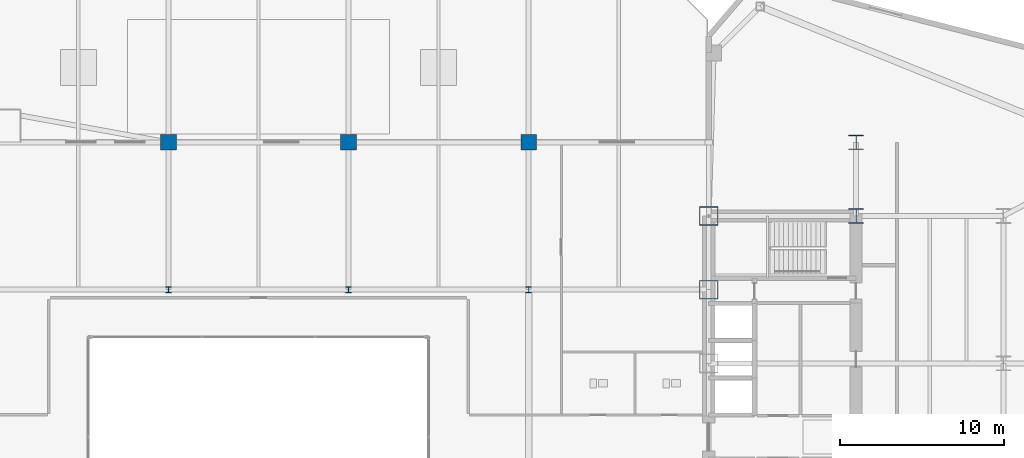
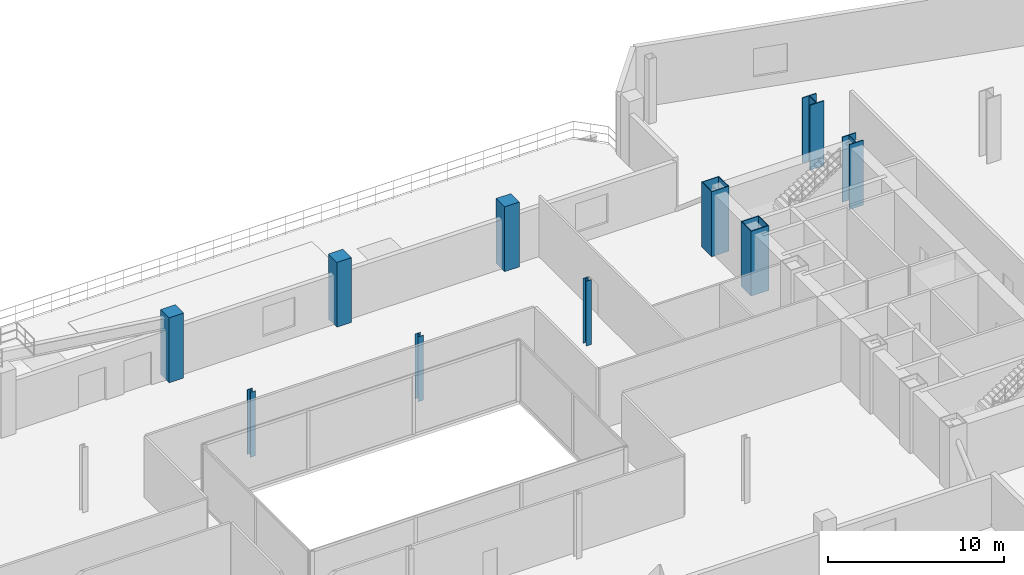
# One storey, part 7 of 27: 10 columns.
"""IFC4 building model written with IfcOpenShell, lengths in metres."""

from ifc_helpers import new_model, si_unit, direction, frame, origin, origin_2d, place, context, subcontext, project, spatial, rectangle, hollow_rectangle, i_section, extrude, source, transform, mapped, material, material_profile, profile_set, type_object, type_shapes, element, save


model = new_model("IFC4")

# Units and contexts
model_context = context("Model", 3, precision=1e-05, world=origin(), true_north=direction((0.0, 1.0)))
body_context = subcontext(model_context, "Body", "Model", "MODEL_VIEW")
ifc_project = project(units=[si_unit("LENGTHUNIT", "METRE"), si_unit("AREAUNIT", "SQUARE_METRE"), si_unit("VOLUMEUNIT", "CUBIC_METRE"), si_unit("PLANEANGLEUNIT", "RADIAN"), si_unit("MASSUNIT", "GRAM", prefix="KILO")], contexts=[model_context])

# Site, building, storey
site_placement = place(None, origin())
site = spatial("IfcSite", under=ifc_project, at=site_placement, CompositionType="ELEMENT")
building_placement = place(site_placement, origin())
building = spatial("IfcBuilding", under=site, at=building_placement, Name="Seokmaru Belvedere", CompositionType="ELEMENT")
storey_placement = place(building_placement, frame((0.0, 0.0, 9.89990234375)))
storey = spatial("IfcBuildingStorey", under=building, at=storey_placement, Name="L02", CompositionType="ELEMENT", Elevation=9.89990234375)

# Columns
ifc_material_1 = material(Name="Steel HSA650 (650 MPa)", Category="steel")
ifc_material_profile_1 = material_profile(ifc_material_1, hollow_rectangle(XDim=1.14990234375, YDim=1.14990234375, WallThickness=0.048095703125, at=origin_2d()), Name="BOX-1150x1150x48")
ifc_profile_set_1 = profile_set([ifc_material_profile_1], Name="Steel HSA650 (650 MPa)")
column_type_1 = type_object("IfcColumnType", Name="Portal Spine Column BOX-1150", PredefinedType="COLUMN", material=ifc_profile_set_1)
shared_shape_1 = source(origin(), body_context, "Body", "SweptSolid", [
    extrude(hollow_rectangle(XDim=1.14990234375, YDim=1.14990234375, WallThickness=0.048095703125, at=origin_2d()), origin(), (0.0, 0.0, 1.0), 4.5),
])
type_shapes(column_type_1, [shared_shape_1])
for number, where, z_axis, x_axis, name in (
    (1, (27.5, 9.0, 0.0), (0.0, 0.0, 1.0), (1.0, 0.0, 0.0), "L02 Column ES5"),
    (2, (27.5, 13.5, 0.0), (0.0, 0.0, 1.0), (1.0, 0.0, 0.0), "L02 Column ES6"),
):
    element("IfcColumn", number, at=place(storey_placement, frame(where, z_axis=z_axis, x_axis=x_axis)), inside=storey, type_object=column_type_1, Name=name, PredefinedType="COLUMN", context=body_context, shape_type="MappedRepresentation", body=[
        mapped(shared_shape_1, transform((0.0, 0.0, 0.0), scale=1.0)),
    ])
ifc_material_profile_2 = material_profile(ifc_material_1, i_section(OverallWidth=0.89990234375, OverallDepth=0.89990234375, WebThickness=0.035888671875, FlangeThickness=0.054931640625, at=origin_2d()), Name="H-900x900x36x55")
ifc_profile_set_2 = profile_set([ifc_material_profile_2], Name="Steel HSA650 (650 MPa)")
column_type_2 = type_object("IfcColumnType", Name="Lower Interior Column H-900", PredefinedType="COLUMN", material=ifc_profile_set_2)
shared_shape_2 = source(origin(), body_context, "Body", "SweptSolid", [
    extrude(i_section(OverallWidth=0.89990234375, OverallDepth=0.89990234375, WebThickness=0.035888671875, FlangeThickness=0.054931640625, at=origin_2d()), origin(), (0.0, 0.0, 1.0), 4.5),
])
type_shapes(column_type_2, [shared_shape_2])
for number, where, z_axis, x_axis, name in (
    (3, (36.5, 13.5, 0.0), (0.0, 0.0, 1.0), (1.0, 0.0, 0.0), "L02 Column EC3"),
    (4, (36.5, 18.0, 0.0), (0.0, 0.0, 1.0), (1.0, 0.0, 0.0), "L02 Column EC4"),
):
    element("IfcColumn", number, at=place(storey_placement, frame(where, z_axis=z_axis, x_axis=x_axis)), inside=storey, type_object=column_type_2, Name=name, PredefinedType="COLUMN", context=body_context, shape_type="MappedRepresentation", body=[
        mapped(shared_shape_2, transform((0.0, 0.0, 0.0), scale=1.0)),
    ])
ifc_material_2 = material(Name="Steel SM355 (355 MPa)", Category="steel")
ifc_material_profile_3 = material_profile(ifc_material_2, i_section(OverallWidth=0.35009765625, OverallDepth=0.35009765625, WebThickness=0.011962890625, FlangeThickness=0.01904296875, at=origin_2d()), Name="H-350x350x12x19")
ifc_profile_set_3 = profile_set([ifc_material_profile_3], Name="Steel SM355 (355 MPa)")
column_type_3 = type_object("IfcColumnType", Name="Podium Gallery Column H-350", PredefinedType="COLUMN", material=ifc_profile_set_3)
shared_shape_3 = source(origin(), body_context, "Body", "SweptSolid", [
    extrude(i_section(OverallWidth=0.35009765625, OverallDepth=0.35009765625, WebThickness=0.011962890625, FlangeThickness=0.01904296875, at=origin_2d()), origin(), (0.0, 0.0, 1.0), 4.5),
])
type_shapes(column_type_3, [shared_shape_3])
for number, where, z_axis, x_axis, name in (
    (5, (-5.5, 9.0, 0.0), (0.0, 0.0, 1.0), (1.0, 0.0, 0.0), "L02 Column CP2_4"),
    (6, (5.5, 9.0, 0.0), (0.0, 0.0, 1.0), (1.0, 0.0, 0.0), "L02 Column CP3_4"),
    (7, (16.5, 9.0, 0.0), (0.0, 0.0, 1.0), (1.0, 0.0, 0.0), "L02 Column CP4_4"),
):
    element("IfcColumn", number, at=place(storey_placement, frame(where, z_axis=z_axis, x_axis=x_axis)), inside=storey, type_object=column_type_3, Name=name, PredefinedType="COLUMN", context=body_context, shape_type="MappedRepresentation", body=[
        mapped(shared_shape_3, transform((0.0, 0.0, 0.0), scale=1.0)),
    ])
ifc_material_3 = material(Name="Concrete C50 (50 MPa)", Category="concrete")
ifc_material_profile_4 = material_profile(ifc_material_3, rectangle(XDim=0.9599609375, YDim=0.9599609375, at=origin_2d()), Name="RC-960x960")
ifc_profile_set_4 = profile_set([ifc_material_profile_4], Name="Concrete C50 (50 MPa)")
column_type_4 = type_object("IfcColumnType", Name="Upper Podium Terrace Column RC-960", PredefinedType="COLUMN", material=ifc_profile_set_4)
shared_shape_4 = source(origin(), body_context, "Body", "SweptSolid", [
    extrude(rectangle(XDim=0.9599609375, YDim=0.9599609375, at=origin_2d()), origin(), (0.0, 0.0, 1.0), 4.5),
])
type_shapes(column_type_4, [shared_shape_4])
for number, where, z_axis, x_axis, name in (
    (8, (-5.5, 18.0, 0.0), (0.0, 0.0, 1.0), (1.0, 0.0, 0.0), "L02 Column CP2_5"),
    (9, (5.5, 18.0, 0.0), (0.0, 0.0, 1.0), (1.0, 0.0, 0.0), "L02 Column CP3_5"),
    (10, (16.5, 18.0, 0.0), (0.0, 0.0, 1.0), (1.0, 0.0, 0.0), "L02 Column CP4_5"),
):
    element("IfcColumn", number, at=place(storey_placement, frame(where, z_axis=z_axis, x_axis=x_axis)), inside=storey, type_object=column_type_4, Name=name, PredefinedType="COLUMN", context=body_context, shape_type="MappedRepresentation", body=[
        mapped(shared_shape_4, transform((0.0, 0.0, 0.0), scale=1.0)),
    ])

save(model, "model.ifc")
